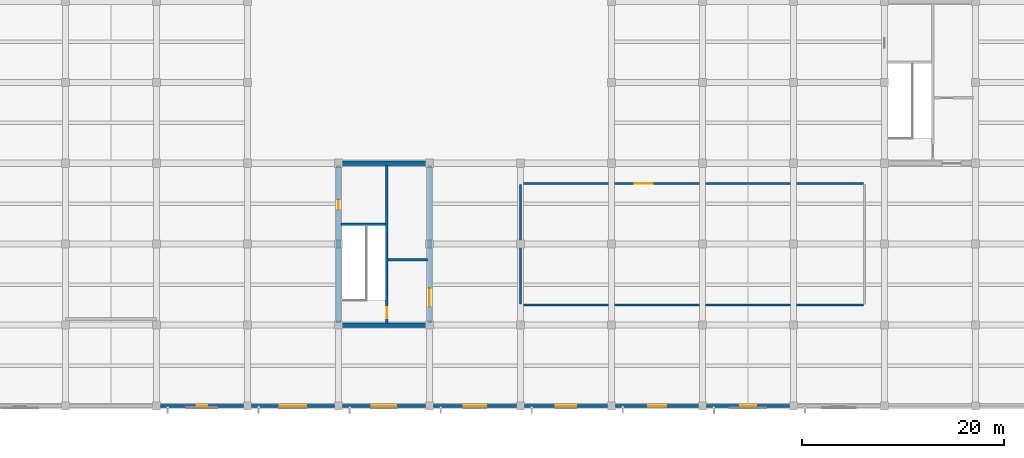
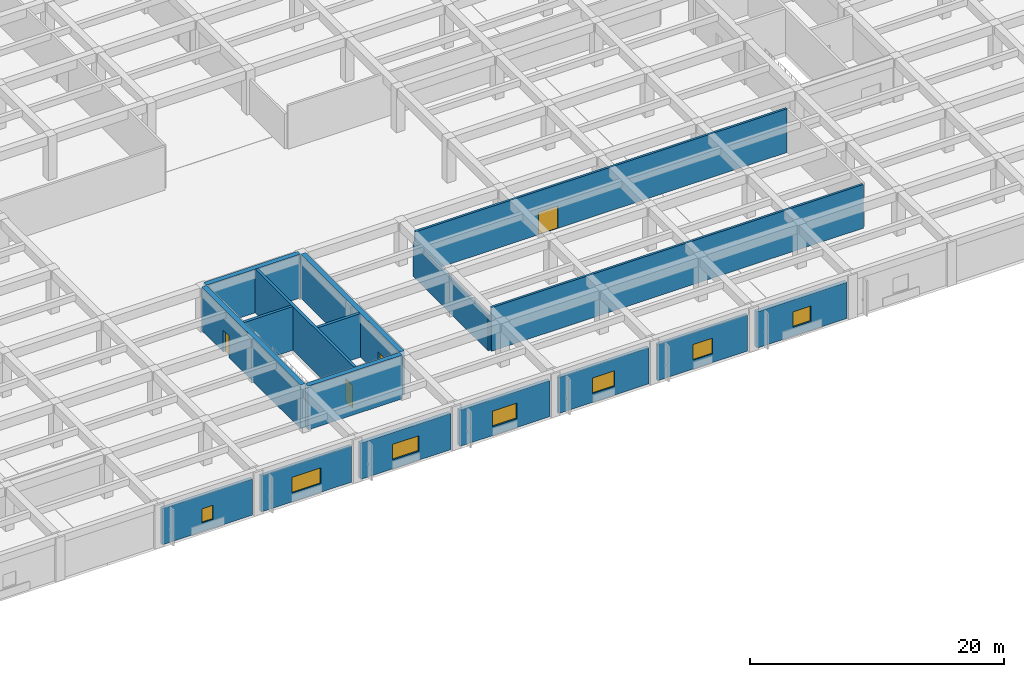
# One storey, part 11 of 32: 17 walls, 7 windows, 4 doors, 11 openings.
"""IFC4 building model written with IfcOpenShell, lengths in metres."""

from ifc_helpers import new_model, si_unit, direction, frame, frame_2d, origin, place, context, subcontext, project, spatial, rectangle, extrude, material, layer, layer_set, type_object, element, fill, save


model = new_model("IFC4")

# Units and contexts
model_context = context("Model", 3, precision=1e-05, world=origin(), true_north=direction((0.0, 1.0)))
body_context = subcontext(model_context, "Body", "Model", "MODEL_VIEW")
ifc_project = project(units=[si_unit("LENGTHUNIT", "METRE"), si_unit("AREAUNIT", "SQUARE_METRE"), si_unit("VOLUMEUNIT", "CUBIC_METRE"), si_unit("PLANEANGLEUNIT", "RADIAN"), si_unit("MASSUNIT", "GRAM", prefix="KILO")], contexts=[model_context])

# Site, building, storey
site_placement = place(None, origin())
site = spatial("IfcSite", under=ifc_project, at=site_placement, CompositionType="ELEMENT")
building_placement = place(site_placement, origin())
building = spatial("IfcBuilding", under=site, at=building_placement, Name="Zaverband Oceanarium and Marine Research Institute", CompositionType="ELEMENT")
storey_placement = place(building_placement, frame((0.0, 0.0, 13.5)))
storey = spatial("IfcBuildingStorey", under=building, at=storey_placement, Name="L03", CompositionType="ELEMENT", Elevation=13.5)

# Walls
ifc_material_1 = material(Name="Concrete C50/60", Category="concrete")
ifc_layer_1 = layer(ifc_material_1, 0.449951171875, Name="Concrete C50/60")
ifc_layer_set_1 = layer_set([ifc_layer_1], Name="Concrete C50/60")
wall_type_1 = type_object("IfcWallType", Name="CW-02", PredefinedType="SHEAR", material=ifc_layer_set_1)
for number, where, z_axis, x_axis, name in (
    (1, (81.22509765625, 8.0, 0.0), (0.0, 0.0, 1.0), (1.0, 0.0, 0.0), "Structural shear wall CW-02"),
    (2, (81.22509765625, 24.0, 0.0), (0.0, 0.0, 1.0), (1.0, 0.0, 0.0), "Structural shear wall CW-02"),
):
    element("IfcWall", number, at=place(storey_placement, frame(where, z_axis=z_axis, x_axis=x_axis)), inside=storey, type_object=wall_type_1, Name=name, PredefinedType="SHEAR", context=body_context, shape_type="SweptSolid", body=[
        extrude(rectangle(XDim=8.5498046875, YDim=0.449951171875, at=frame_2d((4.27490234375, 0.0))), origin(), (0.0, 0.0, 1.0), 4.199951171875),
    ])

# Wall, opening, door
wall_1_placement = place(storey_placement, frame((81.0, 8.22509765625, 0.0), z_axis=(0.0, 0.0, 1.0), x_axis=(0.0, 1.0, 0.0)))
wall_1 = element("IfcWall", 3, at=wall_1_placement, inside=storey, type_object=wall_type_1, Name="Structural shear wall CW-02", PredefinedType="SHEAR", context=body_context, shape_type="SweptSolid", body=[
    extrude(rectangle(XDim=15.5498046875, YDim=0.449951171875, at=frame_2d((7.77490234375, 0.0))), origin(), (0.0, 0.0, 1.0), 4.199951171875),
])
opening_1_placement = place(wall_1_placement, frame((11.199951171875, 0.0, 0.0)))
opening_1 = element("IfcOpeningElement", 4, at=opening_1_placement, cuts=wall_1, Name="Opening FD-03", PredefinedType="OPENING", context=body_context, shape_type="SweptSolid", body=[
    extrude(rectangle(XDim=0.949951171875, YDim=2.10009765625, at=frame_2d((0.47509765625, 1.050048828125))), frame((0.0, 0.23681640625, 0.0), z_axis=(0.0, -1.0, 0.0), x_axis=(1.0, 0.0, 0.0)), (0.0, 0.0, 1.0), 0.473876953125),
])
ifc_material_2 = material(Name="Steel S355", Category="steel")
door_type_1 = type_object("IfcDoorType", Name="FD-03", OperationType="NOTDEFINED", PredefinedType="DOOR", material=ifc_material_2)
door_1_placement = place(opening_1_placement, origin())
door_1 = element("IfcDoor", 5, at=door_1_placement, inside=storey, type_object=door_type_1, Name="Service riser access fire door FD-03", OperationType="SINGLE_SWING_RIGHT", OverallHeight=2.10009765625, OverallWidth=0.949951171875, PredefinedType="DOOR", context=body_context, shape_type="SweptSolid", body=[
    extrude(rectangle(XDim=0.949951171875, YDim=2.10009765625, at=frame_2d((0.47509765625, 1.050048828125))), frame((0.0, 0.02490234375, 0.0), z_axis=(0.0, -1.0, 0.0), x_axis=(1.0, 0.0, 0.0)), (0.0, 0.0, 1.0), 0.050048828125),
])
fill(opening_1, door_1)

wall_2_placement = place(storey_placement, frame((90.0, 8.22509765625, 0.0), z_axis=(0.0, 0.0, 1.0), x_axis=(0.0, 1.0, 0.0)))
wall_2 = element("IfcWall", 6, at=wall_2_placement, inside=storey, type_object=wall_type_1, Name="Structural shear wall CW-02", PredefinedType="SHEAR", context=body_context, shape_type="SweptSolid", body=[
    extrude(rectangle(XDim=15.5498046875, YDim=0.449951171875, at=frame_2d((7.77490234375, 0.0))), origin(), (0.0, 0.0, 1.0), 4.199951171875),
])
opening_2_placement = place(wall_2_placement, frame((1.60009765625, 0.0, 0.0)))
opening_2 = element("IfcOpeningElement", 7, at=opening_2_placement, cuts=wall_2, Name="Opening FD-02", PredefinedType="OPENING", context=body_context, shape_type="SweptSolid", body=[
    extrude(rectangle(XDim=1.800048828125, YDim=2.179931640625, at=frame_2d((0.89990234375, 1.08984375))), frame((0.0, 0.23681640625, 0.0), z_axis=(0.0, -1.0, 0.0), x_axis=(1.0, 0.0, 0.0)), (0.0, 0.0, 1.0), 0.473876953125),
])
door_type_2 = type_object("IfcDoorType", Name="FD-02", OperationType="DOUBLE_DOOR_SINGLE_SWING", PredefinedType="DOOR", material=ifc_material_2)
door_2_placement = place(opening_2_placement, origin())
door_2 = element("IfcDoor", 8, at=door_2_placement, inside=storey, type_object=door_type_2, Name="Protected lobby double fire door FD-02", OperationType="DOUBLE_DOOR_SINGLE_SWING", OverallHeight=2.179931640625, OverallWidth=1.800048828125, PredefinedType="DOOR", context=body_context, shape_type="SweptSolid", body=[
    extrude(rectangle(XDim=1.800048828125, YDim=2.179931640625, at=frame_2d((0.89990234375, 1.08984375))), frame((0.0, 0.02490234375, 0.0), z_axis=(0.0, -1.0, 0.0), x_axis=(1.0, 0.0, 0.0)), (0.0, 0.0, 1.0), 0.050048828125),
])
fill(opening_2, door_2)

# Wall, opening, window
ifc_material_3 = material(Name="Concrete C40/50 precast", Category="concrete")
ifc_layer_2 = layer(ifc_material_3, 0.264892578125, Name="Concrete C40/50 precast")
ifc_layer_set_2 = layer_set([ifc_layer_2], Name="Concrete C40/50 precast")
wall_type_2 = type_object("IfcWallType", Name="EW-265", PredefinedType="STANDARD", material=ifc_layer_set_2)
wall_3_placement = place(storey_placement, frame((72.405029296875, 0.0, 0.0), z_axis=(0.0, 0.0, 1.0), x_axis=(1.0, 0.0, 0.0)))
wall_3 = element("IfcWall", 9, at=wall_3_placement, inside=storey, type_object=wall_type_2, Name="Exterior infill wall EW-265", PredefinedType="STANDARD", context=body_context, shape_type="SweptSolid", body=[
    extrude(rectangle(XDim=8.18994140625, YDim=0.264892578125, at=frame_2d((4.094970703125, 0.0))), origin(), (0.0, 0.0, 1.0), 3.47998046875),
])
opening_3_placement = place(wall_3_placement, frame((2.794921875, 0.0, 0.85009765625)))
opening_3 = element("IfcOpeningElement", 10, at=opening_3_placement, cuts=wall_3, Name="Opening WN-2600x1500", PredefinedType="OPENING", context=body_context, shape_type="SweptSolid", body=[
    extrude(rectangle(XDim=2.60009765625, YDim=1.5, at=frame_2d((1.300048828125, 0.75))), frame((0.0, 0.14453125, 0.0), z_axis=(0.0, -1.0, 0.0), x_axis=(1.0, 0.0, 0.0)), (0.0, 0.0, 1.0), 0.288818359375),
])
ifc_material_4 = material(Name="Thermally broken anodized aluminium and solar-control glass", Category="aluminium")
window_type_1 = type_object("IfcWindowType", Name="WN-2600x1500", PartitioningType="SINGLE_PANEL", PredefinedType="WINDOW", material=ifc_material_4)
window_1_placement = place(opening_3_placement, origin())
window_1 = element("IfcWindow", 11, at=window_1_placement, inside=storey, type_object=window_type_1, Name="Fixed / casement exterior window WN-2600x1500", OverallHeight=1.5, OverallWidth=2.60009765625, PartitioningType="SINGLE_PANEL", PredefinedType="WINDOW", context=body_context, shape_type="SweptSolid", body=[
    extrude(rectangle(XDim=2.60009765625, YDim=1.5, at=frame_2d((1.300048828125, 0.75))), frame((0.0, 0.030029296875, 0.0), z_axis=(0.0, -1.0, 0.0), x_axis=(1.0, 0.0, 0.0)), (0.0, 0.0, 1.0), 0.06005859375),
])
fill(opening_3, window_1)

wall_4_placement = place(storey_placement, frame((108.405029296875, 0.0, 0.0), z_axis=(0.0, 0.0, 1.0), x_axis=(1.0, 0.0, 0.0)))
wall_4 = element("IfcWall", 12, at=wall_4_placement, inside=storey, type_object=wall_type_2, Name="Exterior infill wall EW-265", PredefinedType="STANDARD", context=body_context, shape_type="SweptSolid", body=[
    extrude(rectangle(XDim=8.18994140625, YDim=0.264892578125, at=frame_2d((4.094970703125, 0.0))), origin(), (0.0, 0.0, 1.0), 3.47998046875),
])
opening_4_placement = place(wall_4_placement, frame((3.195068359375, 0.0, 0.85009765625)))
opening_4 = element("IfcOpeningElement", 13, at=opening_4_placement, cuts=wall_4, Name="Opening WN-1800x1500", PredefinedType="OPENING", context=body_context, shape_type="SweptSolid", body=[
    extrude(rectangle(XDim=1.800048828125, YDim=1.5, at=frame_2d((0.89990234375, 0.75))), frame((0.0, 0.14453125, 0.0), z_axis=(0.0, -1.0, 0.0), x_axis=(1.0, 0.0, 0.0)), (0.0, 0.0, 1.0), 0.288818359375),
])
window_type_2 = type_object("IfcWindowType", Name="WN-1800x1500", PartitioningType="SINGLE_PANEL", PredefinedType="WINDOW", material=ifc_material_4)
window_2_placement = place(opening_4_placement, origin())
window_2 = element("IfcWindow", 14, at=window_2_placement, inside=storey, type_object=window_type_2, Name="Fixed / casement exterior window WN-1800x1500", OverallHeight=1.5, OverallWidth=1.800048828125, PartitioningType="SINGLE_PANEL", PredefinedType="WINDOW", context=body_context, shape_type="SweptSolid", body=[
    extrude(rectangle(XDim=1.800048828125, YDim=1.5, at=frame_2d((0.89990234375, 0.75))), frame((0.0, 0.030029296875, 0.0), z_axis=(0.0, -1.0, 0.0), x_axis=(1.0, 0.0, 0.0)), (0.0, 0.0, 1.0), 0.06005859375),
])
fill(opening_4, window_2)

ifc_layer_3 = layer(ifc_material_3, 0.2900390625, Name="Concrete C40/50 precast")
ifc_layer_set_3 = layer_set([ifc_layer_3], Name="Concrete C40/50 precast")
wall_type_3 = type_object("IfcWallType", Name="EW-290", PredefinedType="STANDARD", material=ifc_layer_set_3)
wall_5_placement = place(storey_placement, frame((63.405029296875, 0.0, 0.0), z_axis=(0.0, 0.0, 1.0), x_axis=(1.0, 0.0, 0.0)))
wall_5 = element("IfcWall", 15, at=wall_5_placement, inside=storey, type_object=wall_type_3, Name="Exterior infill wall EW-290", PredefinedType="STANDARD", context=body_context, shape_type="SweptSolid", body=[
    extrude(rectangle(XDim=8.18994140625, YDim=0.2900390625, at=frame_2d((4.094970703125, 0.0))), origin(), (0.0, 0.0, 1.0), 3.47998046875),
])
opening_5_placement = place(wall_5_placement, frame((3.594970703125, 0.0, 0.85009765625)))
opening_5 = element("IfcOpeningElement", 16, at=opening_5_placement, cuts=wall_5, Name="Opening WN-1000x1350", PredefinedType="OPENING", context=body_context, shape_type="SweptSolid", body=[
    extrude(rectangle(XDim=1.0, YDim=1.35009765625, at=frame_2d((0.5, 0.675048828125))), frame((0.0, 0.156982421875, 0.0), z_axis=(0.0, -1.0, 0.0), x_axis=(1.0, 0.0, 0.0)), (0.0, 0.0, 1.0), 0.31396484375),
])
window_type_3 = type_object("IfcWindowType", Name="WN-1000x1350", PartitioningType="SINGLE_PANEL", PredefinedType="WINDOW", material=ifc_material_4)
window_3_placement = place(opening_5_placement, origin())
window_3 = element("IfcWindow", 17, at=window_3_placement, inside=storey, type_object=window_type_3, Name="Fixed / casement exterior window WN-1000x1350", OverallHeight=1.35009765625, OverallWidth=1.0, PartitioningType="SINGLE_PANEL", PredefinedType="WINDOW", context=body_context, shape_type="SweptSolid", body=[
    extrude(rectangle(XDim=1.0, YDim=1.35009765625, at=frame_2d((0.5, 0.675048828125))), frame((0.0, 0.030029296875, 0.0), z_axis=(0.0, -1.0, 0.0), x_axis=(1.0, 0.0, 0.0)), (0.0, 0.0, 1.0), 0.06005859375),
])
fill(opening_5, window_3)

wall_6_placement = place(storey_placement, frame((99.405029296875, 0.0, 0.0), z_axis=(0.0, 0.0, 1.0), x_axis=(1.0, 0.0, 0.0)))
wall_6 = element("IfcWall", 18, at=wall_6_placement, inside=storey, type_object=wall_type_3, Name="Exterior infill wall EW-290", PredefinedType="STANDARD", context=body_context, shape_type="SweptSolid", body=[
    extrude(rectangle(XDim=8.18994140625, YDim=0.2900390625, at=frame_2d((4.094970703125, 0.0))), origin(), (0.0, 0.0, 1.0), 3.47998046875),
])
opening_6_placement = place(wall_6_placement, frame((3.094970703125, 0.0, 0.85009765625)))
opening_6 = element("IfcOpeningElement", 19, at=opening_6_placement, cuts=wall_6, Name="Opening WN-2000x1500", PredefinedType="OPENING", context=body_context, shape_type="SweptSolid", body=[
    extrude(rectangle(XDim=2.0, YDim=1.5, at=frame_2d((1.0, 0.75))), frame((0.0, 0.156982421875, 0.0), z_axis=(0.0, -1.0, 0.0), x_axis=(1.0, 0.0, 0.0)), (0.0, 0.0, 1.0), 0.31396484375),
])
window_type_4 = type_object("IfcWindowType", Name="WN-2000x1500", PartitioningType="SINGLE_PANEL", PredefinedType="WINDOW", material=ifc_material_4)
window_4_placement = place(opening_6_placement, origin())
window_4 = element("IfcWindow", 20, at=window_4_placement, inside=storey, type_object=window_type_4, Name="Fixed / casement exterior window WN-2000x1500", OverallHeight=1.5, OverallWidth=2.0, PartitioningType="SINGLE_PANEL", PredefinedType="WINDOW", context=body_context, shape_type="SweptSolid", body=[
    extrude(rectangle(XDim=2.0, YDim=1.5, at=frame_2d((1.0, 0.75))), frame((0.0, 0.030029296875, 0.0), z_axis=(0.0, -1.0, 0.0), x_axis=(1.0, 0.0, 0.0)), (0.0, 0.0, 1.0), 0.06005859375),
])
fill(opening_6, window_4)

ifc_layer_4 = layer(ifc_material_3, 0.31005859375, Name="Concrete C40/50 precast")
ifc_layer_set_4 = layer_set([ifc_layer_4], Name="Concrete C40/50 precast")
wall_type_4 = type_object("IfcWallType", Name="EW-310", PredefinedType="STANDARD", material=ifc_layer_set_4)
wall_7_placement = place(storey_placement, frame((90.405029296875, 0.0, 0.0), z_axis=(0.0, 0.0, 1.0), x_axis=(1.0, 0.0, 0.0)))
wall_7 = element("IfcWall", 21, at=wall_7_placement, inside=storey, type_object=wall_type_4, Name="Exterior infill wall EW-310", PredefinedType="STANDARD", context=body_context, shape_type="SweptSolid", body=[
    extrude(rectangle(XDim=8.18994140625, YDim=0.31005859375, at=frame_2d((4.094970703125, 0.0))), origin(), (0.0, 0.0, 1.0), 3.47998046875),
])
opening_7_placement = place(wall_7_placement, frame((2.9951171875, 0.0, 0.85009765625)))
opening_7 = element("IfcOpeningElement", 22, at=opening_7_placement, cuts=wall_7, Name="Opening WN-2200x1500", PredefinedType="OPENING", context=body_context, shape_type="SweptSolid", body=[
    extrude(rectangle(XDim=2.199951171875, YDim=1.5, at=frame_2d((1.10009765625, 0.75))), frame((0.0, 0.1669921875, 0.0), z_axis=(0.0, -1.0, 0.0), x_axis=(1.0, 0.0, 0.0)), (0.0, 0.0, 1.0), 0.333984375),
])
window_type_5 = type_object("IfcWindowType", Name="WN-2200x1500", PartitioningType="SINGLE_PANEL", PredefinedType="WINDOW", material=ifc_material_4)
window_5_placement = place(opening_7_placement, origin())
window_5 = element("IfcWindow", 23, at=window_5_placement, inside=storey, type_object=window_type_5, Name="Fixed / casement exterior window WN-2200x1500", OverallHeight=1.5, OverallWidth=2.199951171875, PartitioningType="SINGLE_PANEL", PredefinedType="WINDOW", context=body_context, shape_type="SweptSolid", body=[
    extrude(rectangle(XDim=2.199951171875, YDim=1.5, at=frame_2d((1.10009765625, 0.75))), frame((0.0, 0.030029296875, 0.0), z_axis=(0.0, -1.0, 0.0), x_axis=(1.0, 0.0, 0.0)), (0.0, 0.0, 1.0), 0.06005859375),
])
fill(opening_7, window_5)

ifc_layer_5 = layer(ifc_material_3, 0.340087890625, Name="Concrete C40/50 precast")
ifc_layer_set_5 = layer_set([ifc_layer_5], Name="Concrete C40/50 precast")
wall_type_5 = type_object("IfcWallType", Name="EW-340", PredefinedType="STANDARD", material=ifc_layer_set_5)
wall_8_placement = place(storey_placement, frame((81.405029296875, 0.0, 0.0), z_axis=(0.0, 0.0, 1.0), x_axis=(1.0, 0.0, 0.0)))
wall_8 = element("IfcWall", 24, at=wall_8_placement, inside=storey, type_object=wall_type_5, Name="Exterior infill wall EW-340", PredefinedType="STANDARD", context=body_context, shape_type="SweptSolid", body=[
    extrude(rectangle(XDim=8.18994140625, YDim=0.340087890625, at=frame_2d((4.094970703125, 0.0))), origin(), (0.0, 0.0, 1.0), 3.47998046875),
])
opening_8_placement = place(wall_8_placement, frame((2.89501953125, 0.0, 0.85009765625)))
opening_8 = element("IfcOpeningElement", 25, at=opening_8_placement, cuts=wall_8, Name="Opening WN-2400x1500", PredefinedType="OPENING", context=body_context, shape_type="SweptSolid", body=[
    extrude(rectangle(XDim=2.39990234375, YDim=1.5, at=frame_2d((1.199951171875, 0.75))), frame((0.0, 0.18212890625, 0.0), z_axis=(0.0, -1.0, 0.0), x_axis=(1.0, 0.0, 0.0)), (0.0, 0.0, 1.0), 0.364013671875),
])
window_type_6 = type_object("IfcWindowType", Name="WN-2400x1500", PartitioningType="SINGLE_PANEL", PredefinedType="WINDOW", material=ifc_material_4)
window_6_placement = place(opening_8_placement, origin())
window_6 = element("IfcWindow", 26, at=window_6_placement, inside=storey, type_object=window_type_6, Name="Fixed / casement exterior window WN-2400x1500", OverallHeight=1.5, OverallWidth=2.39990234375, PartitioningType="SINGLE_PANEL", PredefinedType="WINDOW", context=body_context, shape_type="SweptSolid", body=[
    extrude(rectangle(XDim=2.39990234375, YDim=1.5, at=frame_2d((1.199951171875, 0.75))), frame((0.0, 0.030029296875, 0.0), z_axis=(0.0, -1.0, 0.0), x_axis=(1.0, 0.0, 0.0)), (0.0, 0.0, 1.0), 0.06005859375),
])
fill(opening_8, window_6)

wall_9_placement = place(storey_placement, frame((117.405029296875, 0.0, 0.0), z_axis=(0.0, 0.0, 1.0), x_axis=(1.0, 0.0, 0.0)))
wall_9 = element("IfcWall", 27, at=wall_9_placement, inside=storey, type_object=wall_type_5, Name="Exterior infill wall EW-340", PredefinedType="STANDARD", context=body_context, shape_type="SweptSolid", body=[
    extrude(rectangle(XDim=8.18994140625, YDim=0.340087890625, at=frame_2d((4.094970703125, 0.0))), origin(), (0.0, 0.0, 1.0), 3.47998046875),
])
opening_9_placement = place(wall_9_placement, frame((3.294921875, 0.0, 0.85009765625)))
opening_9 = element("IfcOpeningElement", 28, at=opening_9_placement, cuts=wall_9, Name="Opening WN-1600x1500", PredefinedType="OPENING", context=body_context, shape_type="SweptSolid", body=[
    extrude(rectangle(XDim=1.60009765625, YDim=1.5, at=frame_2d((0.800048828125, 0.75))), frame((0.0, 0.18212890625, 0.0), z_axis=(0.0, -1.0, 0.0), x_axis=(1.0, 0.0, 0.0)), (0.0, 0.0, 1.0), 0.364013671875),
])
window_type_7 = type_object("IfcWindowType", Name="WN-1600x1500", PartitioningType="SINGLE_PANEL", PredefinedType="WINDOW", material=ifc_material_4)
window_7_placement = place(opening_9_placement, origin())
window_7 = element("IfcWindow", 29, at=window_7_placement, inside=storey, type_object=window_type_7, Name="Fixed / casement exterior window WN-1600x1500", OverallHeight=1.5, OverallWidth=1.60009765625, PartitioningType="SINGLE_PANEL", PredefinedType="WINDOW", context=body_context, shape_type="SweptSolid", body=[
    extrude(rectangle(XDim=1.60009765625, YDim=1.5, at=frame_2d((0.800048828125, 0.75))), frame((0.0, 0.030029296875, 0.0), z_axis=(0.0, -1.0, 0.0), x_axis=(1.0, 0.0, 0.0)), (0.0, 0.0, 1.0), 0.06005859375),
])
fill(opening_9, window_7)

# Wall
ifc_material_5 = material(Name="Fire-rated masonry compartment wall", Category="masonry")
ifc_layer_6 = layer(ifc_material_5, 0.199951171875, Name="Fire-rated masonry compartment wall")
ifc_layer_set_6 = layer_set([ifc_layer_6], Name="Fire-rated masonry compartment wall")
wall_type_6 = type_object("IfcWallType", Name="PT-200-FR", PredefinedType="PARTITIONING", material=ifc_layer_set_6)
wall_10_placement = place(storey_placement, frame((99.10009765625, 10.0, 0.0), z_axis=(0.0, 0.0, 1.0), x_axis=(1.0, 0.0, 0.0)))
element("IfcWall", 30, at=wall_10_placement, inside=storey, type_object=wall_type_6, Name="Internal partition PT-200-FR", PredefinedType="PARTITIONING", context=body_context, shape_type="SweptSolid", body=[
    extrude(rectangle(XDim=33.7998046875, YDim=0.199951171875, at=frame_2d((16.89990234375, 0.0))), origin(), (0.0, 0.0, 1.0), 4.199951171875),
])

# Wall, opening, door
wall_11_placement = place(storey_placement, frame((99.10009765625, 22.0, 0.0), z_axis=(0.0, 0.0, 1.0), x_axis=(1.0, 0.0, 0.0)))
wall_11 = element("IfcWall", 31, at=wall_11_placement, inside=storey, type_object=wall_type_6, Name="Internal partition PT-200-FR", PredefinedType="PARTITIONING", context=body_context, shape_type="SweptSolid", body=[
    extrude(rectangle(XDim=33.7998046875, YDim=0.199951171875, at=frame_2d((16.89990234375, 0.0))), origin(), (0.0, 0.0, 1.0), 4.199951171875),
])
opening_10_placement = place(wall_11_placement, frame((11.20703125, 0.0, 0.0)))
opening_10 = element("IfcOpeningElement", 32, at=opening_10_placement, cuts=wall_11, Name="Opening ID-1780x2160", PredefinedType="OPENING", context=body_context, shape_type="SweptSolid", body=[
    extrude(rectangle(XDim=1.780029296875, YDim=2.159912109375, at=frame_2d((0.89013671875, 1.080078125))), frame((0.0, 0.11181640625, 0.0), z_axis=(0.0, -1.0, 0.0), x_axis=(1.0, 0.0, 0.0)), (0.0, 0.0, 1.0), 0.223876953125),
])
door_type_3 = type_object("IfcDoorType", Name="ID-1780x2160", OperationType="DOUBLE_DOOR_SINGLE_SWING", PredefinedType="DOOR", material=ifc_material_2)
door_3_placement = place(opening_10_placement, origin())
door_3 = element("IfcDoor", 33, at=door_3_placement, inside=storey, type_object=door_type_3, Name="Chiller plant double door ID-1780x2160", OperationType="DOUBLE_DOOR_SINGLE_SWING", OverallHeight=2.159912109375, OverallWidth=1.780029296875, PredefinedType="DOOR", context=body_context, shape_type="SweptSolid", body=[
    extrude(rectangle(XDim=1.780029296875, YDim=2.159912109375, at=frame_2d((0.89013671875, 1.080078125))), frame((0.0, 0.02490234375, 0.0), z_axis=(0.0, -1.0, 0.0), x_axis=(1.0, 0.0, 0.0)), (0.0, 0.0, 1.0), 0.050048828125),
])
fill(opening_10, door_3)

# Wall
wall_12_placement = place(storey_placement, frame((99.0, 10.10009765625, 0.0), z_axis=(0.0, 0.0, 1.0), x_axis=(0.0, 1.0, 0.0)))
element("IfcWall", 34, at=wall_12_placement, inside=storey, type_object=wall_type_6, Name="Internal partition PT-200-FR", PredefinedType="PARTITIONING", context=body_context, shape_type="SweptSolid", body=[
    extrude(rectangle(XDim=11.7998046875, YDim=0.199951171875, at=frame_2d((5.89990234375, 0.0))), origin(), (0.0, 0.0, 1.0), 3.35009765625),
])

# Wall, opening, door
ifc_layer_7 = layer(ifc_material_1, 0.25, Name="Concrete C50/60")
ifc_layer_set_7 = layer_set([ifc_layer_7], Name="Concrete C50/60")
wall_type_7 = type_object("IfcWallType", Name="PW-CORE-250", PredefinedType="SOLIDWALL", material=ifc_layer_set_7)
wall_13_placement = place(storey_placement, frame((85.77490234375, 8.22509765625, 0.0), z_axis=(0.0, 0.0, 1.0), x_axis=(0.0, 1.0, 0.0)))
wall_13 = element("IfcWall", 35, at=wall_13_placement, inside=storey, type_object=wall_type_7, Name="Structural concrete wall PW-CORE-250", PredefinedType="SOLIDWALL", context=body_context, shape_type="SweptSolid", body=[
    extrude(rectangle(XDim=15.5498046875, YDim=0.25, at=frame_2d((7.77490234375, 0.0))), origin(), (0.0, 0.0, 1.0), 4.199951171875),
])
opening_11_placement = place(wall_13_placement, frame((0.449951171875, 0.0, 0.0)))
opening_11 = element("IfcOpeningElement", 36, at=opening_11_placement, cuts=wall_13, Name="Opening FD-01", PredefinedType="OPENING", context=body_context, shape_type="SweptSolid", body=[
    extrude(rectangle(XDim=1.10009765625, YDim=2.14990234375, at=frame_2d((0.550048828125, 1.074951171875))), frame((0.0, 0.136962890625, 0.0), z_axis=(0.0, -1.0, 0.0), x_axis=(1.0, 0.0, 0.0)), (0.0, 0.0, 1.0), 0.27392578125),
])
door_type_4 = type_object("IfcDoorType", Name="FD-01", OperationType="NOTDEFINED", PredefinedType="DOOR", material=ifc_material_2)
door_4_placement = place(opening_11_placement, origin())
door_4 = element("IfcDoor", 37, at=door_4_placement, inside=storey, type_object=door_type_4, Name="Core stair / lobby fire door FD-01", OperationType="SINGLE_SWING_RIGHT", OverallHeight=2.14990234375, OverallWidth=1.10009765625, PredefinedType="DOOR", context=body_context, shape_type="SweptSolid", body=[
    extrude(rectangle(XDim=1.10009765625, YDim=2.14990234375, at=frame_2d((0.550048828125, 1.074951171875))), frame((0.0, 0.02490234375, 0.0), z_axis=(0.0, -1.0, 0.0), x_axis=(1.0, 0.0, 0.0)), (0.0, 0.0, 1.0), 0.050048828125),
])
fill(opening_11, door_4)

# Walls
wall_14_placement = place(storey_placement, frame((81.22509765625, 17.97509765625, 0.0), z_axis=(0.0, 0.0, 1.0), x_axis=(1.0, 0.0, 0.0)))
element("IfcWall", 38, at=wall_14_placement, inside=storey, type_object=wall_type_7, Name="Structural concrete wall PW-CORE-250", PredefinedType="SOLIDWALL", context=body_context, shape_type="SweptSolid", body=[
    extrude(rectangle(XDim=4.419921875, YDim=0.25, at=frame_2d((2.2099609375, 0.0))), origin(), (0.0, 0.0, 1.0), 4.199951171875),
])
wall_15_placement = place(storey_placement, frame((85.905029296875, 14.47509765625, 0.0), z_axis=(0.0, 0.0, 1.0), x_axis=(1.0, 0.0, 0.0)))
element("IfcWall", 39, at=wall_15_placement, inside=storey, type_object=wall_type_7, Name="Structural concrete wall PW-CORE-250", PredefinedType="SOLIDWALL", context=body_context, shape_type="SweptSolid", body=[
    extrude(rectangle(XDim=3.869873046875, YDim=0.25, at=frame_2d((1.93505859375, 0.0))), origin(), (0.0, 0.0, 1.0), 4.199951171875),
])

save(model, "model.ifc")
